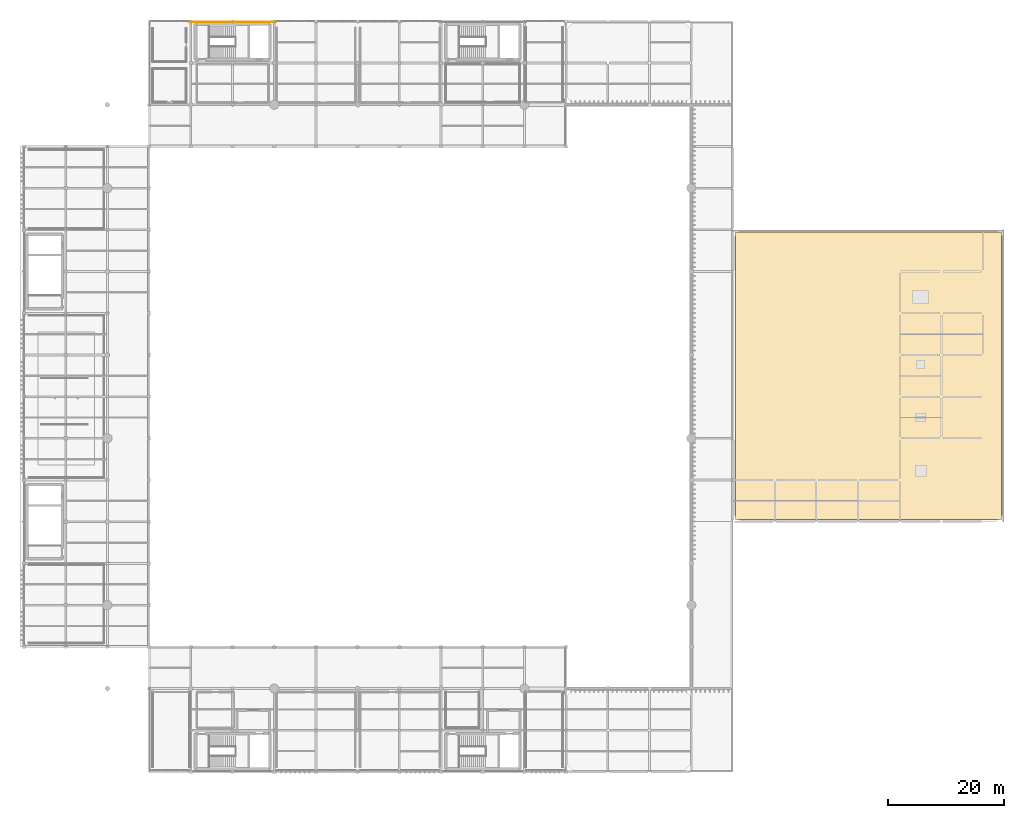
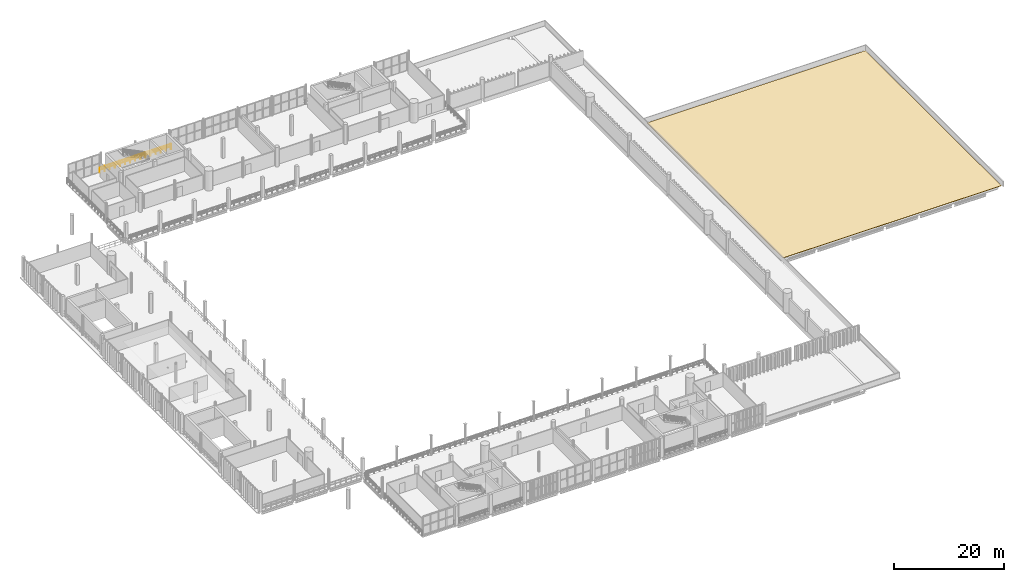
# One storey, part 80 of 81: 1 covering, 1 railing.
"""IFC4 building model written with IfcOpenShell, lengths in metres."""

from ifc_helpers import new_model, si_unit, direction, frame, origin, origin_2d, place, context, subcontext, project, spatial, polyline, circle, outline, extrude, material, layer, layer_set, type_object, element, save


model = new_model("IFC4")

# Units and contexts
model_context = context("Model", 3, precision=1e-05, world=origin(), true_north=direction((0.0, 1.0)))
body_context = subcontext(model_context, "Body", "Model", "MODEL_VIEW")
ifc_project = project(units=[si_unit("LENGTHUNIT", "METRE"), si_unit("AREAUNIT", "SQUARE_METRE"), si_unit("VOLUMEUNIT", "CUBIC_METRE"), si_unit("PLANEANGLEUNIT", "RADIAN"), si_unit("MASSUNIT", "GRAM", prefix="KILO")], contexts=[model_context])

# Site, building, storey
site_placement = place(None, origin())
site = spatial("IfcSite", under=ifc_project, at=site_placement, CompositionType="ELEMENT")
building_placement = place(site_placement, origin())
building = spatial("IfcBuilding", under=site, at=building_placement, Name="Qandorah Velis Arena", CompositionType="ELEMENT")
storey_placement = place(building_placement, frame((0.0, 0.0, 18.60009765625)))
storey = spatial("IfcBuildingStorey", under=building, at=storey_placement, Name="L04", CompositionType="ELEMENT", Elevation=18.60009765625)

# Covering
ifc_material_1 = material(Name="Insulated high-albedo standing-seam aluminium roofing", Category="aluminium")
ifc_layer = layer(ifc_material_1, 0.080078125)
ifc_layer_set = layer_set([ifc_layer], Name="Insulated high-albedo standing-seam aluminium roofing")
covering_type = type_object("IfcCoveringType", Name="ARC-COV-ROOF", PredefinedType="ROOFING", material=ifc_layer_set)
covering_placement = place(storey_placement, origin())
element("IfcCovering", 1, at=covering_placement, inside=storey, type_object=covering_type, Name="Standing-seam insulated roof covering COV-RF-OASIS", PredefinedType="ROOFING", context=body_context, shape_type="SweptSolid", body=[
    extrude(outline(polyline([(122.800048828125, 43.60009765625), (168.800048828125, 43.60009765625), (168.800048828125, 93.199951171875), (122.800048828125, 93.199951171875), (122.800048828125, 43.60009765625)])), origin(), (0.0, 0.0, 1.0), 0.079833984375),
])

# Railing
ifc_material_2 = material(Name="Stainless steel 316", Category="steel")
railing_type = type_object("IfcRailingType", Name="ARC-RL-GRD1150", PredefinedType="GUARDRAIL", material=ifc_material_2)
railing_placement = place(storey_placement, frame((28.5, 129.5, 0.0)))
element("IfcRailing", 2, at=railing_placement, inside=storey, type_object=railing_type, Name="Slab edge safety guardrail L04-231", PredefinedType="GUARDRAIL", context=body_context, shape_type="SweptSolid", body=[
    extrude(circle(Radius=0.02392578125, at=origin_2d()), frame((0.0, 0.0, 1.1259765625), z_axis=(1.0, 0.0, 0.0), x_axis=(0.0, 1.0, 0.0)), (0.0, 0.0, 1.0), 15.0),
    extrude(circle(Radius=0.02392578125, at=origin_2d()), frame((0.0, 0.0, 0.597900390625), z_axis=(1.0, 0.0, 0.0), x_axis=(0.0, 1.0, 0.0)), (0.0, 0.0, 1.0), 15.0),
    extrude(circle(Radius=0.02099609375, at=origin_2d()), origin(), (0.0, 0.0, 1.0), 1.101806640625),
    extrude(circle(Radius=0.02099609375, at=origin_2d()), frame((1.071533203125, 0.0, 0.0)), (0.0, 0.0, 1.0), 1.101806640625),
    extrude(circle(Radius=0.02099609375, at=origin_2d()), frame((2.142822265625, 0.0, 0.0)), (0.0, 0.0, 1.0), 1.101806640625),
    extrude(circle(Radius=0.02099609375, at=origin_2d()), frame((3.21435546875, 0.0, 0.0)), (0.0, 0.0, 1.0), 1.101806640625),
    extrude(circle(Radius=0.02099609375, at=origin_2d()), frame((4.28564453125, 0.0, 0.0)), (0.0, 0.0, 1.0), 1.101806640625),
    extrude(circle(Radius=0.02099609375, at=origin_2d()), frame((5.357177734375, 0.0, 0.0)), (0.0, 0.0, 1.0), 1.101806640625),
    extrude(circle(Radius=0.02099609375, at=origin_2d()), frame((6.428466796875, 0.0, 0.0)), (0.0, 0.0, 1.0), 1.101806640625),
    extrude(circle(Radius=0.02099609375, at=origin_2d()), frame((7.5, 0.0, 0.0)), (0.0, 0.0, 1.0), 1.101806640625),
    extrude(circle(Radius=0.02099609375, at=origin_2d()), frame((8.571533203125, 0.0, 0.0)), (0.0, 0.0, 1.0), 1.101806640625),
    extrude(circle(Radius=0.02099609375, at=origin_2d()), frame((9.642822265625, 0.0, 0.0)), (0.0, 0.0, 1.0), 1.101806640625),
    extrude(circle(Radius=0.02099609375, at=origin_2d()), frame((10.71435546875, 0.0, 0.0)), (0.0, 0.0, 1.0), 1.101806640625),
    extrude(circle(Radius=0.02099609375, at=origin_2d()), frame((11.78564453125, 0.0, 0.0)), (0.0, 0.0, 1.0), 1.101806640625),
    extrude(circle(Radius=0.02099609375, at=origin_2d()), frame((12.857177734375, 0.0, 0.0)), (0.0, 0.0, 1.0), 1.101806640625),
    extrude(circle(Radius=0.02099609375, at=origin_2d()), frame((13.928466796875, 0.0, 0.0)), (0.0, 0.0, 1.0), 1.101806640625),
    extrude(circle(Radius=0.02099609375, at=origin_2d()), frame((15.0, 0.0, 0.0)), (0.0, 0.0, 1.0), 1.101806640625),
])

save(model, "model.ifc")
